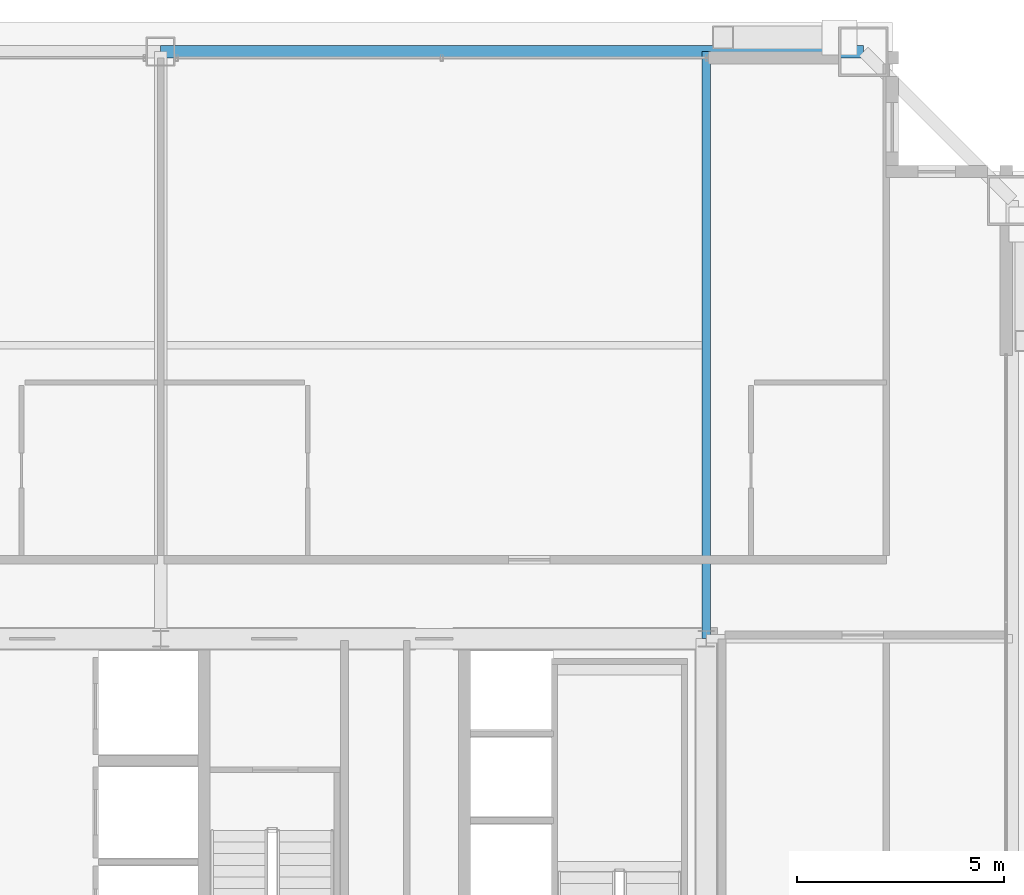
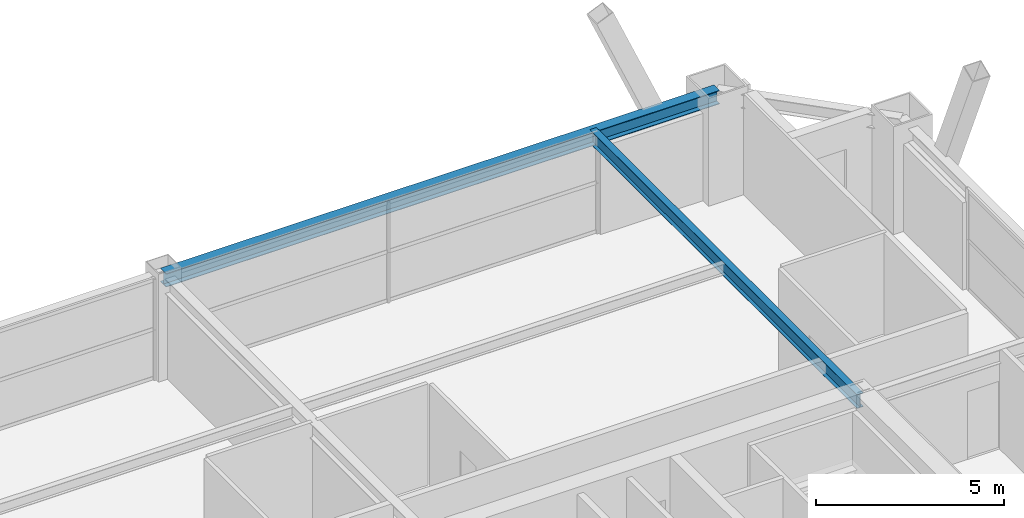
# One storey, part 28 of 35: 2 beams.
"""IFC4 building model written with IfcOpenShell, lengths in metres."""

from ifc_helpers import new_model, si_unit, direction, frame, origin, origin_2d, place, context, subcontext, project, spatial, i_section, extrude, source, transform, mapped, material, material_profile, profile_set, type_object, element, save


model = new_model("IFC4")

# Units and contexts
model_context = context("Model", 3, precision=1e-05, world=origin(), true_north=direction((0.0, 1.0)))
body_context = subcontext(model_context, "Body", "Model", "MODEL_VIEW")
ifc_project = project(units=[si_unit("LENGTHUNIT", "METRE"), si_unit("AREAUNIT", "SQUARE_METRE"), si_unit("VOLUMEUNIT", "CUBIC_METRE"), si_unit("PLANEANGLEUNIT", "RADIAN"), si_unit("MASSUNIT", "GRAM", prefix="KILO"), si_unit("THERMODYNAMICTEMPERATUREUNIT", "KELVIN"), si_unit("POWERUNIT", "WATT")], contexts=[model_context])

# Site, building, storey
site_placement = place(None, origin())
site = spatial("IfcSite", under=ifc_project, at=site_placement, CompositionType="ELEMENT")
building_placement = place(site_placement, origin())
building = spatial("IfcBuilding", under=site, at=building_placement, Name="Yuzanri Waterfront Tower", CompositionType="ELEMENT")
storey_placement = place(building_placement, frame((0.0, 0.0, 227.60009765625)))
storey = spatial("IfcBuildingStorey", under=building, at=storey_placement, Name="L60", CompositionType="ELEMENT", Elevation=227.60009765625)

# Beams
ifc_material_1 = material(Name="Steel Q355B", Category="steel")
ifc_material_profile_1 = material_profile(ifc_material_1, i_section(OverallWidth=0.300048828125, OverallDepth=0.43994140625, WebThickness=0.010986328125, FlangeThickness=0.01806640625, at=origin_2d()), Name="HM 440x300x11x18")
ifc_profile_set_1 = profile_set([ifc_material_profile_1], Name="Steel Q355B")
beam_type_1 = type_object("IfcBeamType", Name="Perimeter Spandrel Q355B HM 440x300", PredefinedType="SPANDREL", material=ifc_profile_set_1)
shared_shape_1 = source(origin(), body_context, "Body", "SweptSolid", [
    extrude(i_section(OverallWidth=0.300048828125, OverallDepth=0.43994140625, WebThickness=0.010986328125, FlangeThickness=0.01806640625, at=origin_2d()), origin(), (0.0, 0.0, 1.0), 17.0),
])
beam_1_placement = place(storey_placement, frame((54.0, 46.39990234375, 3.059814453125), z_axis=(-1.0, 0.0, 0.0), x_axis=(0.0, -1.0, 0.0)))
element("IfcBeam", 1, at=beam_1_placement, inside=storey, type_object=beam_type_1, Name="L60 Perimeter Spandrel N3-N2", PredefinedType="SPANDREL", context=body_context, shape_type="MappedRepresentation", body=[
    mapped(shared_shape_1, transform((0.0, 0.0, 0.0), scale=1.0)),
])
ifc_material_2 = material(Name="Steel Q355B", Category="steel")
ifc_material_profile_2 = material_profile(ifc_material_2, i_section(OverallWidth=0.199951171875, OverallDepth=0.449951171875, WebThickness=0.009033203125, FlangeThickness=0.013916015625, at=origin_2d()), Name="HN 450x200x9x14")
ifc_profile_set_2 = profile_set([ifc_material_profile_2], Name="Steel Q355B")
beam_type_2 = type_object("IfcBeamType", Name="Secondary Floor Beam Q355B HN 450x200", PredefinedType="BEAM", material=ifc_profile_set_2)
shared_shape_2 = source(origin(), body_context, "Body", "SweptSolid", [
    extrude(i_section(OverallWidth=0.199951171875, OverallDepth=0.449951171875, WebThickness=0.009033203125, FlangeThickness=0.013916015625, at=origin_2d()), origin(), (0.0, 0.0, 1.0), 14.199951171875),
])
beam_2_placement = place(storey_placement, frame((50.199951171875, 32.199951171875, 3.054931640625), z_axis=(0.0, 1.0, 0.0), x_axis=(-1.0, 0.0, 0.0)))
element("IfcBeam", 2, at=beam_2_placement, inside=storey, type_object=beam_type_2, Name="L60 North-East Core Line Beam", PredefinedType="BEAM", context=body_context, shape_type="MappedRepresentation", body=[
    mapped(shared_shape_2, transform((0.0, 0.0, 0.0), scale=1.0)),
])

save(model, "model.ifc")
